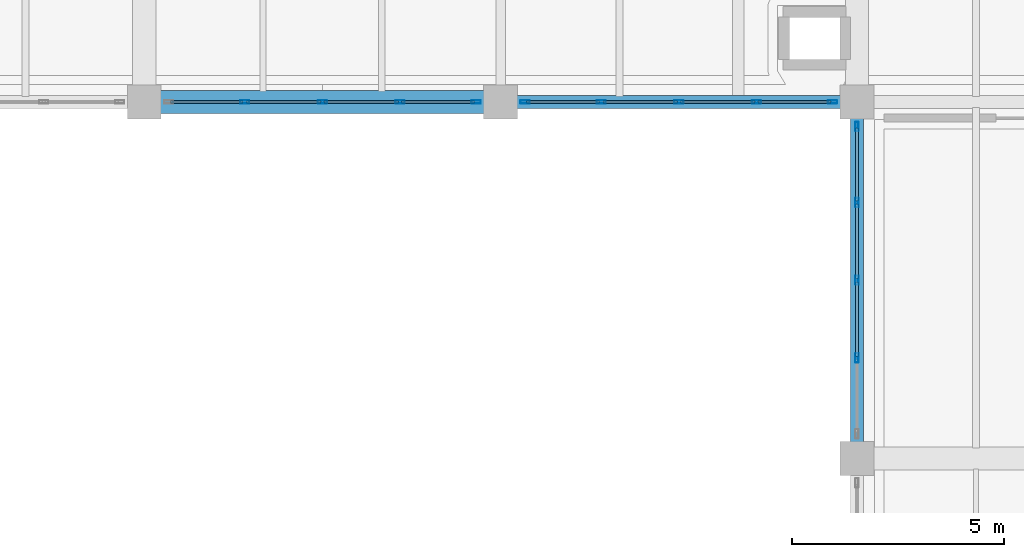
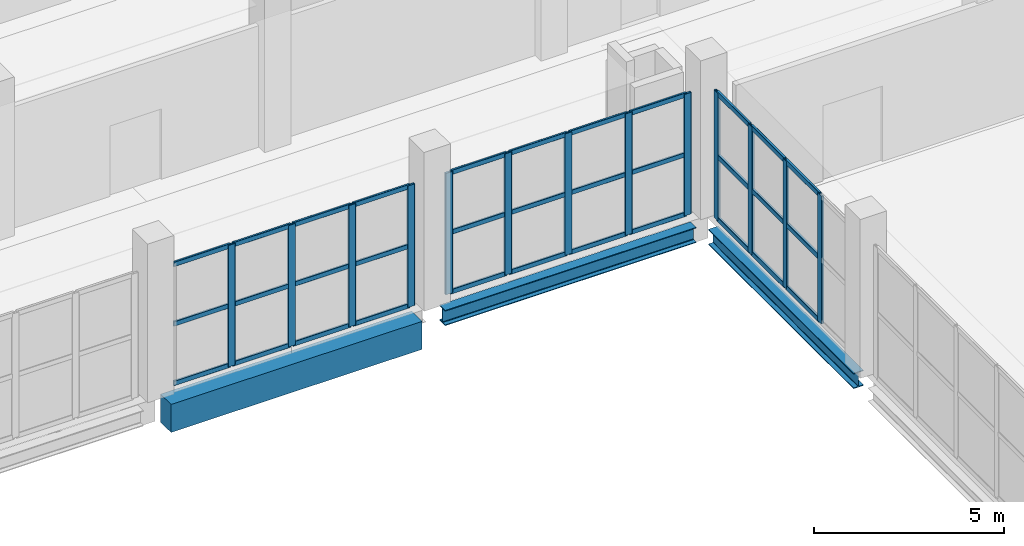
# One storey, part 45 of 73: 46 members, 3 beams, 3 elements without a shape of their own.
"""IFC4 building model written with IfcOpenShell, lengths in metres."""

from ifc_helpers import new_model, si_unit, direction, frame, origin, origin_2d, place, context, subcontext, project, spatial, rectangle, hollow_rectangle, i_section, extrude, material, layer, layer_set, material_profile, profile_set, type_object, element, aggregate, save


model = new_model("IFC4")

# Units and contexts
model_context = context("Model", 3, precision=1e-05, world=origin(), true_north=direction((0.0, 1.0)))
body_context = subcontext(model_context, "Body", "Model", "MODEL_VIEW")
ifc_project = project(units=[si_unit("LENGTHUNIT", "METRE"), si_unit("AREAUNIT", "SQUARE_METRE"), si_unit("VOLUMEUNIT", "CUBIC_METRE"), si_unit("PLANEANGLEUNIT", "RADIAN"), si_unit("MASSUNIT", "GRAM", prefix="KILO")], contexts=[model_context])

# Site, building, storey
site_placement = place(None, origin())
site = spatial("IfcSite", under=ifc_project, at=site_placement, CompositionType="ELEMENT")
building_placement = place(site_placement, origin())
building = spatial("IfcBuilding", under=site, at=building_placement, Name="Zulmaris Art Gallery", CompositionType="ELEMENT")
storey_placement = place(building_placement, frame((0.0, 0.0, 10.5)))
storey = spatial("IfcBuildingStorey", under=building, at=storey_placement, Name="L02", CompositionType="ELEMENT", Elevation=10.5)

# Beams
ifc_material_1 = material(Name="Steel S355J2", Category="steel")
ifc_material_profile_1 = material_profile(ifc_material_1, i_section(OverallWidth=0.300048828125, OverallDepth=0.489990234375, WebThickness=0.011962890625, FlangeThickness=0.02294921875, FilletRadius=0.027099609375, at=origin_2d()), Name="HEA 500")
ifc_profile_set_1 = profile_set([ifc_material_profile_1], Name="Steel S355J2")
beam_type_1 = type_object("IfcBeamType", Name="BEAM-BM11", PredefinedType="BEAM", material=ifc_profile_set_1)
beam_1_placement = place(storey_placement, frame((175.5849609375, 58.800048828125, -0.64501953125), z_axis=(1.0, 0.0, 0.0), x_axis=(0.0, 1.0, 0.0)))
element("IfcBeam", 1, at=beam_1_placement, inside=storey, type_object=beam_type_1, Name="L02 X-girder (175.2..183.6, y=58.8)", PredefinedType="BEAM", context=body_context, shape_type="SweptSolid", body=[
    extrude(i_section(OverallWidth=0.300048828125, OverallDepth=0.489990234375, WebThickness=0.011962890625, FlangeThickness=0.02294921875, FilletRadius=0.027099609375, at=origin_2d()), origin(), (0.0, 0.0, 1.0), 7.630126953125),
])
ifc_material_profile_2 = material_profile(ifc_material_1, i_section(OverallWidth=0.300048828125, OverallDepth=0.5, WebThickness=0.014404296875, FlangeThickness=0.028076171875, FilletRadius=0.027099609375, at=origin_2d()), Name="HEB 500")
ifc_profile_set_2 = profile_set([ifc_material_profile_2], Name="Steel S355J2")
beam_type_2 = type_object("IfcBeamType", Name="BEAM-BM14", PredefinedType="BEAM", material=ifc_profile_set_2)
beam_2_placement = place(storey_placement, frame((183.60009765625, 50.784912109375, -0.64990234375), z_axis=(0.0, 1.0, 0.0), x_axis=(-1.0, 0.0, 0.0)))
element("IfcBeam", 2, at=beam_2_placement, inside=storey, type_object=beam_type_2, Name="L02 Y-girder (x=183.6, 50.4..58.8)", PredefinedType="BEAM", context=body_context, shape_type="SweptSolid", body=[
    extrude(i_section(OverallWidth=0.300048828125, OverallDepth=0.5, WebThickness=0.014404296875, FlangeThickness=0.028076171875, FilletRadius=0.027099609375, at=origin_2d()), origin(), (0.0, 0.0, 1.0), 7.630126953125),
])
ifc_material_2 = material(Name="Concrete C40/50", Category="concrete")
ifc_material_profile_3 = material_profile(ifc_material_2, rectangle(XDim=0.550048828125, YDim=0.89990234375, at=origin_2d()), Name="RC 550x900")
ifc_profile_set_3 = profile_set([ifc_material_profile_3], Name="Concrete C40/50")
beam_type_3 = type_object("IfcBeamType", Name="BEAM-BM21", PredefinedType="BEAM", material=ifc_profile_set_3)
beam_3_placement = place(storey_placement, frame((167.18505859375, 58.800048828125, -0.85009765625), z_axis=(1.0, 0.0, 0.0), x_axis=(0.0, 1.0, 0.0)))
element("IfcBeam", 3, at=beam_3_placement, inside=storey, type_object=beam_type_3, Name="L02 X-girder (166.8..175.2, y=58.8)", PredefinedType="BEAM", context=body_context, shape_type="SweptSolid", body=[
    extrude(rectangle(XDim=0.550048828125, YDim=0.89990234375, at=origin_2d()), origin(), (0.0, 0.0, 1.0), 7.6298828125),
])

# Curtain wall, members
ifc_material_3 = material(Name="Courtyard Artists Studio Curtain Wall", Category="aluminium")
ifc_layer = layer(ifc_material_3, 0.179931640625)
ifc_layer_set = layer_set([ifc_layer], Name="Courtyard Artists Studio Curtain Wall")
curtain_wall_type = type_object("IfcCurtainWallType", Name="CW-CW04", PredefinedType="NOTDEFINED", material=ifc_layer_set)
curtain_wall_1_placement = place(storey_placement, origin())
curtain_wall_1 = element("IfcCurtainWall", 4, at=curtain_wall_1_placement, inside=storey, type_object=curtain_wall_type, Name="L02 curtain wall 140", PredefinedType="NOTDEFINED")
ifc_material_4 = material(Name="Anodised Bronze Aluminium", Category="aluminium")
ifc_material_profile_4 = material_profile(ifc_material_4, hollow_rectangle(XDim=0.074951171875, YDim=0.219970703125, WallThickness=0.0048828125, InnerFilletRadius=0.007568359375, OuterFilletRadius=0.012451171875, at=origin_2d()), Name="ALU 75x220x5")
ifc_profile_set_4 = profile_set([ifc_material_profile_4], Name="Anodised Bronze Aluminium")
member_type_1 = type_object("IfcMemberType", Name="CWMUL-02", PredefinedType="MULLION", material=ifc_profile_set_4)
member_1_placement = place(storey_placement, frame((183.60009765625, 58.222412109375, 0.0), z_axis=(0.0, 0.0, 1.0), x_axis=(1.0, 0.0, 0.0)))
member_1 = element("IfcMember", 5, at=member_1_placement, type_object=member_type_1, Name="CW04 mullion 1", PredefinedType="MULLION", context=body_context, shape_type="SweptSolid", body=[
    extrude(hollow_rectangle(XDim=0.074951171875, YDim=0.219970703125, WallThickness=0.0048828125, InnerFilletRadius=0.007568359375, OuterFilletRadius=0.012451171875, at=origin_2d()), origin(), (0.0, 0.0, 1.0), 4.10009765625),
])
member_2_placement = place(storey_placement, frame((183.60009765625, 56.429931640625, 0.0), z_axis=(0.0, 0.0, 1.0), x_axis=(1.0, 0.0, 0.0)))
member_2 = element("IfcMember", 6, at=member_2_placement, type_object=member_type_1, Name="CW04 mullion 2", PredefinedType="MULLION", context=body_context, shape_type="SweptSolid", body=[
    extrude(hollow_rectangle(XDim=0.074951171875, YDim=0.219970703125, WallThickness=0.0048828125, InnerFilletRadius=0.007568359375, OuterFilletRadius=0.012451171875, at=origin_2d()), origin(), (0.0, 0.0, 1.0), 4.10009765625),
])
member_3_placement = place(storey_placement, frame((183.60009765625, 54.60009765625, 0.0), z_axis=(0.0, 0.0, 1.0), x_axis=(1.0, 0.0, 0.0)))
member_3 = element("IfcMember", 7, at=member_3_placement, type_object=member_type_1, Name="CW04 mullion 3", PredefinedType="MULLION", context=body_context, shape_type="SweptSolid", body=[
    extrude(hollow_rectangle(XDim=0.074951171875, YDim=0.219970703125, WallThickness=0.0048828125, InnerFilletRadius=0.007568359375, OuterFilletRadius=0.012451171875, at=origin_2d()), origin(), (0.0, 0.0, 1.0), 4.10009765625),
])
member_4_placement = place(storey_placement, frame((183.60009765625, 52.77001953125, 0.0), z_axis=(0.0, 0.0, 1.0), x_axis=(1.0, 0.0, 0.0)))
member_4 = element("IfcMember", 8, at=member_4_placement, type_object=member_type_1, Name="CW04 mullion 4", PredefinedType="MULLION", context=body_context, shape_type="SweptSolid", body=[
    extrude(hollow_rectangle(XDim=0.074951171875, YDim=0.219970703125, WallThickness=0.0048828125, InnerFilletRadius=0.007568359375, OuterFilletRadius=0.012451171875, at=origin_2d()), origin(), (0.0, 0.0, 1.0), 4.10009765625),
])

curtain_wall_2_placement = place(storey_placement, origin())
curtain_wall_2 = element("IfcCurtainWall", 9, at=curtain_wall_2_placement, inside=storey, type_object=curtain_wall_type, Name="L02 curtain wall 143", PredefinedType="NOTDEFINED")
member_5_placement = place(storey_placement, frame((174.62255859375, 58.800048828125, 0.0), z_axis=(0.0, 0.0, 1.0), x_axis=(0.0, -1.0, 0.0)))
member_5 = element("IfcMember", 10, at=member_5_placement, type_object=member_type_1, Name="CW04 mullion 1", PredefinedType="MULLION", context=body_context, shape_type="SweptSolid", body=[
    extrude(hollow_rectangle(XDim=0.074951171875, YDim=0.219970703125, WallThickness=0.0048828125, InnerFilletRadius=0.007568359375, OuterFilletRadius=0.012451171875, at=origin_2d()), origin(), (0.0, 0.0, 1.0), 3.89990234375),
])
member_6_placement = place(storey_placement, frame((172.830078125, 58.800048828125, 0.0), z_axis=(0.0, 0.0, 1.0), x_axis=(0.0, -1.0, 0.0)))
member_6 = element("IfcMember", 11, at=member_6_placement, type_object=member_type_1, Name="CW04 mullion 2", PredefinedType="MULLION", context=body_context, shape_type="SweptSolid", body=[
    extrude(hollow_rectangle(XDim=0.074951171875, YDim=0.219970703125, WallThickness=0.0048828125, InnerFilletRadius=0.007568359375, OuterFilletRadius=0.012451171875, at=origin_2d()), origin(), (0.0, 0.0, 1.0), 3.89990234375),
])
member_7_placement = place(storey_placement, frame((171.0, 58.800048828125, 0.0), z_axis=(0.0, 0.0, 1.0), x_axis=(0.0, -1.0, 0.0)))
member_7 = element("IfcMember", 12, at=member_7_placement, type_object=member_type_1, Name="CW04 mullion 3", PredefinedType="MULLION", context=body_context, shape_type="SweptSolid", body=[
    extrude(hollow_rectangle(XDim=0.074951171875, YDim=0.219970703125, WallThickness=0.0048828125, InnerFilletRadius=0.007568359375, OuterFilletRadius=0.012451171875, at=origin_2d()), origin(), (0.0, 0.0, 1.0), 3.89990234375),
])
member_8_placement = place(storey_placement, frame((169.169921875, 58.800048828125, 0.0), z_axis=(0.0, 0.0, 1.0), x_axis=(0.0, -1.0, 0.0)))
member_8 = element("IfcMember", 13, at=member_8_placement, type_object=member_type_1, Name="CW04 mullion 4", PredefinedType="MULLION", context=body_context, shape_type="SweptSolid", body=[
    extrude(hollow_rectangle(XDim=0.074951171875, YDim=0.219970703125, WallThickness=0.0048828125, InnerFilletRadius=0.007568359375, OuterFilletRadius=0.012451171875, at=origin_2d()), origin(), (0.0, 0.0, 1.0), 3.89990234375),
])

curtain_wall_3_placement = place(storey_placement, origin())
curtain_wall_3 = element("IfcCurtainWall", 14, at=curtain_wall_3_placement, inside=storey, type_object=curtain_wall_type, Name="L02 curtain wall 145", PredefinedType="NOTDEFINED")
member_9_placement = place(storey_placement, frame((183.0224609375, 58.800048828125, 0.0), z_axis=(0.0, 0.0, 1.0), x_axis=(0.0, -1.0, 0.0)))
member_9 = element("IfcMember", 15, at=member_9_placement, type_object=member_type_1, Name="CW04 mullion 1", PredefinedType="MULLION", context=body_context, shape_type="SweptSolid", body=[
    extrude(hollow_rectangle(XDim=0.074951171875, YDim=0.219970703125, WallThickness=0.0048828125, InnerFilletRadius=0.007568359375, OuterFilletRadius=0.012451171875, at=origin_2d()), origin(), (0.0, 0.0, 1.0), 3.89990234375),
])
member_10_placement = place(storey_placement, frame((181.22998046875, 58.800048828125, 0.0), z_axis=(0.0, 0.0, 1.0), x_axis=(0.0, -1.0, 0.0)))
member_10 = element("IfcMember", 16, at=member_10_placement, type_object=member_type_1, Name="CW04 mullion 2", PredefinedType="MULLION", context=body_context, shape_type="SweptSolid", body=[
    extrude(hollow_rectangle(XDim=0.074951171875, YDim=0.219970703125, WallThickness=0.0048828125, InnerFilletRadius=0.007568359375, OuterFilletRadius=0.012451171875, at=origin_2d()), origin(), (0.0, 0.0, 1.0), 3.89990234375),
])
member_11_placement = place(storey_placement, frame((179.39990234375, 58.800048828125, 0.0), z_axis=(0.0, 0.0, 1.0), x_axis=(0.0, -1.0, 0.0)))
member_11 = element("IfcMember", 17, at=member_11_placement, type_object=member_type_1, Name="CW04 mullion 3", PredefinedType="MULLION", context=body_context, shape_type="SweptSolid", body=[
    extrude(hollow_rectangle(XDim=0.074951171875, YDim=0.219970703125, WallThickness=0.0048828125, InnerFilletRadius=0.007568359375, OuterFilletRadius=0.012451171875, at=origin_2d()), origin(), (0.0, 0.0, 1.0), 3.89990234375),
])
member_12_placement = place(storey_placement, frame((177.570068359375, 58.800048828125, 0.0), z_axis=(0.0, 0.0, 1.0), x_axis=(0.0, -1.0, 0.0)))
member_12 = element("IfcMember", 18, at=member_12_placement, type_object=member_type_1, Name="CW04 mullion 4", PredefinedType="MULLION", context=body_context, shape_type="SweptSolid", body=[
    extrude(hollow_rectangle(XDim=0.074951171875, YDim=0.219970703125, WallThickness=0.0048828125, InnerFilletRadius=0.007568359375, OuterFilletRadius=0.012451171875, at=origin_2d()), origin(), (0.0, 0.0, 1.0), 3.89990234375),
])
member_13_placement = place(storey_placement, frame((175.777587890625, 58.800048828125, 0.0), z_axis=(0.0, 0.0, 1.0), x_axis=(0.0, -1.0, 0.0)))
member_13 = element("IfcMember", 19, at=member_13_placement, type_object=member_type_1, Name="CW04 mullion 5", PredefinedType="MULLION", context=body_context, shape_type="SweptSolid", body=[
    extrude(hollow_rectangle(XDim=0.074951171875, YDim=0.219970703125, WallThickness=0.0048828125, InnerFilletRadius=0.007568359375, OuterFilletRadius=0.012451171875, at=origin_2d()), origin(), (0.0, 0.0, 1.0), 3.89990234375),
])

# Member
ifc_material_profile_5 = material_profile(ifc_material_4, hollow_rectangle(XDim=0.06494140625, YDim=0.14990234375, WallThickness=0.00390625, InnerFilletRadius=0.006103515625, OuterFilletRadius=0.010009765625, at=origin_2d()), Name="ALU 65x150x4")
ifc_profile_set_5 = profile_set([ifc_material_profile_5], Name="Anodised Bronze Aluminium")
member_type_2 = type_object("IfcMemberType", Name="CWTRN-01", PredefinedType="USERDEFINED", material=ifc_profile_set_5)
member_14_placement = place(storey_placement, frame((174.5849609375, 58.800048828125, 0.03759765625), z_axis=(-1.0, 0.0, 0.0), x_axis=(0.0, -1.0, 0.0)))
member_14 = element("IfcMember", 20, at=member_14_placement, type_object=member_type_2, Name="CW04 transom 1.1", ObjectType="TRANSOM", PredefinedType="USERDEFINED", context=body_context, shape_type="SweptSolid", body=[
    extrude(hollow_rectangle(XDim=0.06494140625, YDim=0.14990234375, WallThickness=0.00390625, InnerFilletRadius=0.006103515625, OuterFilletRadius=0.010009765625, at=origin_2d()), origin(), (0.0, 0.0, 1.0), 1.717529296875),
])

member_15_placement = place(storey_placement, frame((174.5849609375, 58.800048828125, 1.949951171875), z_axis=(-1.0, 0.0, 0.0), x_axis=(0.0, -1.0, 0.0)))
member_15 = element("IfcMember", 21, at=member_15_placement, type_object=member_type_2, Name="CW04 transom 1.2", ObjectType="TRANSOM", PredefinedType="USERDEFINED", context=body_context, shape_type="SweptSolid", body=[
    extrude(hollow_rectangle(XDim=0.06494140625, YDim=0.14990234375, WallThickness=0.00390625, InnerFilletRadius=0.006103515625, OuterFilletRadius=0.010009765625, at=origin_2d()), origin(), (0.0, 0.0, 1.0), 1.717529296875),
])

member_16_placement = place(storey_placement, frame((174.5849609375, 58.800048828125, 3.862548828125), z_axis=(-1.0, 0.0, 0.0), x_axis=(0.0, -1.0, 0.0)))
member_16 = element("IfcMember", 22, at=member_16_placement, type_object=member_type_2, Name="CW04 transom 1.3", ObjectType="TRANSOM", PredefinedType="USERDEFINED", context=body_context, shape_type="SweptSolid", body=[
    extrude(hollow_rectangle(XDim=0.06494140625, YDim=0.14990234375, WallThickness=0.00390625, InnerFilletRadius=0.006103515625, OuterFilletRadius=0.010009765625, at=origin_2d()), origin(), (0.0, 0.0, 1.0), 1.717529296875),
])

member_17_placement = place(storey_placement, frame((172.79248046875, 58.800048828125, 0.03759765625), z_axis=(-1.0, 0.0, 0.0), x_axis=(0.0, -1.0, 0.0)))
member_17 = element("IfcMember", 23, at=member_17_placement, type_object=member_type_2, Name="CW04 transom 2.1", ObjectType="TRANSOM", PredefinedType="USERDEFINED", context=body_context, shape_type="SweptSolid", body=[
    extrude(hollow_rectangle(XDim=0.06494140625, YDim=0.14990234375, WallThickness=0.00390625, InnerFilletRadius=0.006103515625, OuterFilletRadius=0.010009765625, at=origin_2d()), origin(), (0.0, 0.0, 1.0), 1.7548828125),
])

member_18_placement = place(storey_placement, frame((172.79248046875, 58.800048828125, 1.949951171875), z_axis=(-1.0, 0.0, 0.0), x_axis=(0.0, -1.0, 0.0)))
member_18 = element("IfcMember", 24, at=member_18_placement, type_object=member_type_2, Name="CW04 transom 2.2", ObjectType="TRANSOM", PredefinedType="USERDEFINED", context=body_context, shape_type="SweptSolid", body=[
    extrude(hollow_rectangle(XDim=0.06494140625, YDim=0.14990234375, WallThickness=0.00390625, InnerFilletRadius=0.006103515625, OuterFilletRadius=0.010009765625, at=origin_2d()), origin(), (0.0, 0.0, 1.0), 1.7548828125),
])

member_19_placement = place(storey_placement, frame((172.79248046875, 58.800048828125, 3.862548828125), z_axis=(-1.0, 0.0, 0.0), x_axis=(0.0, -1.0, 0.0)))
member_19 = element("IfcMember", 25, at=member_19_placement, type_object=member_type_2, Name="CW04 transom 2.3", ObjectType="TRANSOM", PredefinedType="USERDEFINED", context=body_context, shape_type="SweptSolid", body=[
    extrude(hollow_rectangle(XDim=0.06494140625, YDim=0.14990234375, WallThickness=0.00390625, InnerFilletRadius=0.006103515625, OuterFilletRadius=0.010009765625, at=origin_2d()), origin(), (0.0, 0.0, 1.0), 1.7548828125),
])

member_20_placement = place(storey_placement, frame((170.96240234375, 58.800048828125, 0.03759765625), z_axis=(-1.0, 0.0, 0.0), x_axis=(0.0, -1.0, 0.0)))
member_20 = element("IfcMember", 26, at=member_20_placement, type_object=member_type_2, Name="CW04 transom 3.1", ObjectType="TRANSOM", PredefinedType="USERDEFINED", context=body_context, shape_type="SweptSolid", body=[
    extrude(hollow_rectangle(XDim=0.06494140625, YDim=0.14990234375, WallThickness=0.00390625, InnerFilletRadius=0.006103515625, OuterFilletRadius=0.010009765625, at=origin_2d()), origin(), (0.0, 0.0, 1.0), 1.7548828125),
])

member_21_placement = place(storey_placement, frame((170.96240234375, 58.800048828125, 1.949951171875), z_axis=(-1.0, 0.0, 0.0), x_axis=(0.0, -1.0, 0.0)))
member_21 = element("IfcMember", 27, at=member_21_placement, type_object=member_type_2, Name="CW04 transom 3.2", ObjectType="TRANSOM", PredefinedType="USERDEFINED", context=body_context, shape_type="SweptSolid", body=[
    extrude(hollow_rectangle(XDim=0.06494140625, YDim=0.14990234375, WallThickness=0.00390625, InnerFilletRadius=0.006103515625, OuterFilletRadius=0.010009765625, at=origin_2d()), origin(), (0.0, 0.0, 1.0), 1.7548828125),
])

member_22_placement = place(storey_placement, frame((170.96240234375, 58.800048828125, 3.862548828125), z_axis=(-1.0, 0.0, 0.0), x_axis=(0.0, -1.0, 0.0)))
member_22 = element("IfcMember", 28, at=member_22_placement, type_object=member_type_2, Name="CW04 transom 3.3", ObjectType="TRANSOM", PredefinedType="USERDEFINED", context=body_context, shape_type="SweptSolid", body=[
    extrude(hollow_rectangle(XDim=0.06494140625, YDim=0.14990234375, WallThickness=0.00390625, InnerFilletRadius=0.006103515625, OuterFilletRadius=0.010009765625, at=origin_2d()), origin(), (0.0, 0.0, 1.0), 1.7548828125),
])

member_23_placement = place(storey_placement, frame((169.132568359375, 58.800048828125, 0.03759765625), z_axis=(-1.0, 0.0, 0.0), x_axis=(0.0, -1.0, 0.0)))
member_23 = element("IfcMember", 29, at=member_23_placement, type_object=member_type_2, Name="CW04 transom 4.1", ObjectType="TRANSOM", PredefinedType="USERDEFINED", context=body_context, shape_type="SweptSolid", body=[
    extrude(hollow_rectangle(XDim=0.06494140625, YDim=0.14990234375, WallThickness=0.00390625, InnerFilletRadius=0.006103515625, OuterFilletRadius=0.010009765625, at=origin_2d()), origin(), (0.0, 0.0, 1.0), 1.717529296875),
])

member_24_placement = place(storey_placement, frame((169.132568359375, 58.800048828125, 1.949951171875), z_axis=(-1.0, 0.0, 0.0), x_axis=(0.0, -1.0, 0.0)))
member_24 = element("IfcMember", 30, at=member_24_placement, type_object=member_type_2, Name="CW04 transom 4.2", ObjectType="TRANSOM", PredefinedType="USERDEFINED", context=body_context, shape_type="SweptSolid", body=[
    extrude(hollow_rectangle(XDim=0.06494140625, YDim=0.14990234375, WallThickness=0.00390625, InnerFilletRadius=0.006103515625, OuterFilletRadius=0.010009765625, at=origin_2d()), origin(), (0.0, 0.0, 1.0), 1.717529296875),
])

member_25_placement = place(storey_placement, frame((169.132568359375, 58.800048828125, 3.862548828125), z_axis=(-1.0, 0.0, 0.0), x_axis=(0.0, -1.0, 0.0)))
member_25 = element("IfcMember", 31, at=member_25_placement, type_object=member_type_2, Name="CW04 transom 4.3", ObjectType="TRANSOM", PredefinedType="USERDEFINED", context=body_context, shape_type="SweptSolid", body=[
    extrude(hollow_rectangle(XDim=0.06494140625, YDim=0.14990234375, WallThickness=0.00390625, InnerFilletRadius=0.006103515625, OuterFilletRadius=0.010009765625, at=origin_2d()), origin(), (0.0, 0.0, 1.0), 1.717529296875),
])

aggregate(curtain_wall_2, [member_5, member_6, member_7, member_8, member_14, member_15, member_16, member_17, member_18, member_19, member_20, member_21, member_22, member_23, member_24, member_25])

member_26_placement = place(storey_placement, frame((182.985107421875, 58.800048828125, 0.03759765625), z_axis=(-1.0, 0.0, 0.0), x_axis=(0.0, -1.0, 0.0)))
member_26 = element("IfcMember", 32, at=member_26_placement, type_object=member_type_2, Name="CW04 transom 1.1", ObjectType="TRANSOM", PredefinedType="USERDEFINED", context=body_context, shape_type="SweptSolid", body=[
    extrude(hollow_rectangle(XDim=0.06494140625, YDim=0.14990234375, WallThickness=0.00390625, InnerFilletRadius=0.006103515625, OuterFilletRadius=0.010009765625, at=origin_2d()), origin(), (0.0, 0.0, 1.0), 1.717529296875),
])

member_27_placement = place(storey_placement, frame((182.985107421875, 58.800048828125, 1.949951171875), z_axis=(-1.0, 0.0, 0.0), x_axis=(0.0, -1.0, 0.0)))
member_27 = element("IfcMember", 33, at=member_27_placement, type_object=member_type_2, Name="CW04 transom 1.2", ObjectType="TRANSOM", PredefinedType="USERDEFINED", context=body_context, shape_type="SweptSolid", body=[
    extrude(hollow_rectangle(XDim=0.06494140625, YDim=0.14990234375, WallThickness=0.00390625, InnerFilletRadius=0.006103515625, OuterFilletRadius=0.010009765625, at=origin_2d()), origin(), (0.0, 0.0, 1.0), 1.717529296875),
])

member_28_placement = place(storey_placement, frame((182.985107421875, 58.800048828125, 3.862548828125), z_axis=(-1.0, 0.0, 0.0), x_axis=(0.0, -1.0, 0.0)))
member_28 = element("IfcMember", 34, at=member_28_placement, type_object=member_type_2, Name="CW04 transom 1.3", ObjectType="TRANSOM", PredefinedType="USERDEFINED", context=body_context, shape_type="SweptSolid", body=[
    extrude(hollow_rectangle(XDim=0.06494140625, YDim=0.14990234375, WallThickness=0.00390625, InnerFilletRadius=0.006103515625, OuterFilletRadius=0.010009765625, at=origin_2d()), origin(), (0.0, 0.0, 1.0), 1.717529296875),
])

member_29_placement = place(storey_placement, frame((181.1923828125, 58.800048828125, 0.03759765625), z_axis=(-1.0, 0.0, 0.0), x_axis=(0.0, -1.0, 0.0)))
member_29 = element("IfcMember", 35, at=member_29_placement, type_object=member_type_2, Name="CW04 transom 2.1", ObjectType="TRANSOM", PredefinedType="USERDEFINED", context=body_context, shape_type="SweptSolid", body=[
    extrude(hollow_rectangle(XDim=0.06494140625, YDim=0.14990234375, WallThickness=0.00390625, InnerFilletRadius=0.006103515625, OuterFilletRadius=0.010009765625, at=origin_2d()), origin(), (0.0, 0.0, 1.0), 1.7548828125),
])

member_30_placement = place(storey_placement, frame((181.1923828125, 58.800048828125, 1.949951171875), z_axis=(-1.0, 0.0, 0.0), x_axis=(0.0, -1.0, 0.0)))
member_30 = element("IfcMember", 36, at=member_30_placement, type_object=member_type_2, Name="CW04 transom 2.2", ObjectType="TRANSOM", PredefinedType="USERDEFINED", context=body_context, shape_type="SweptSolid", body=[
    extrude(hollow_rectangle(XDim=0.06494140625, YDim=0.14990234375, WallThickness=0.00390625, InnerFilletRadius=0.006103515625, OuterFilletRadius=0.010009765625, at=origin_2d()), origin(), (0.0, 0.0, 1.0), 1.7548828125),
])

member_31_placement = place(storey_placement, frame((181.1923828125, 58.800048828125, 3.862548828125), z_axis=(-1.0, 0.0, 0.0), x_axis=(0.0, -1.0, 0.0)))
member_31 = element("IfcMember", 37, at=member_31_placement, type_object=member_type_2, Name="CW04 transom 2.3", ObjectType="TRANSOM", PredefinedType="USERDEFINED", context=body_context, shape_type="SweptSolid", body=[
    extrude(hollow_rectangle(XDim=0.06494140625, YDim=0.14990234375, WallThickness=0.00390625, InnerFilletRadius=0.006103515625, OuterFilletRadius=0.010009765625, at=origin_2d()), origin(), (0.0, 0.0, 1.0), 1.7548828125),
])

member_32_placement = place(storey_placement, frame((179.362548828125, 58.800048828125, 0.03759765625), z_axis=(-1.0, 0.0, 0.0), x_axis=(0.0, -1.0, 0.0)))
member_32 = element("IfcMember", 38, at=member_32_placement, type_object=member_type_2, Name="CW04 transom 3.1", ObjectType="TRANSOM", PredefinedType="USERDEFINED", context=body_context, shape_type="SweptSolid", body=[
    extrude(hollow_rectangle(XDim=0.06494140625, YDim=0.14990234375, WallThickness=0.00390625, InnerFilletRadius=0.006103515625, OuterFilletRadius=0.010009765625, at=origin_2d()), origin(), (0.0, 0.0, 1.0), 1.755126953125),
])

member_33_placement = place(storey_placement, frame((179.362548828125, 58.800048828125, 1.949951171875), z_axis=(-1.0, 0.0, 0.0), x_axis=(0.0, -1.0, 0.0)))
member_33 = element("IfcMember", 39, at=member_33_placement, type_object=member_type_2, Name="CW04 transom 3.2", ObjectType="TRANSOM", PredefinedType="USERDEFINED", context=body_context, shape_type="SweptSolid", body=[
    extrude(hollow_rectangle(XDim=0.06494140625, YDim=0.14990234375, WallThickness=0.00390625, InnerFilletRadius=0.006103515625, OuterFilletRadius=0.010009765625, at=origin_2d()), origin(), (0.0, 0.0, 1.0), 1.755126953125),
])

member_34_placement = place(storey_placement, frame((179.362548828125, 58.800048828125, 3.862548828125), z_axis=(-1.0, 0.0, 0.0), x_axis=(0.0, -1.0, 0.0)))
member_34 = element("IfcMember", 40, at=member_34_placement, type_object=member_type_2, Name="CW04 transom 3.3", ObjectType="TRANSOM", PredefinedType="USERDEFINED", context=body_context, shape_type="SweptSolid", body=[
    extrude(hollow_rectangle(XDim=0.06494140625, YDim=0.14990234375, WallThickness=0.00390625, InnerFilletRadius=0.006103515625, OuterFilletRadius=0.010009765625, at=origin_2d()), origin(), (0.0, 0.0, 1.0), 1.755126953125),
])

member_35_placement = place(storey_placement, frame((177.532470703125, 58.800048828125, 0.03759765625), z_axis=(-1.0, 0.0, 0.0), x_axis=(0.0, -1.0, 0.0)))
member_35 = element("IfcMember", 41, at=member_35_placement, type_object=member_type_2, Name="CW04 transom 4.1", ObjectType="TRANSOM", PredefinedType="USERDEFINED", context=body_context, shape_type="SweptSolid", body=[
    extrude(hollow_rectangle(XDim=0.06494140625, YDim=0.14990234375, WallThickness=0.00390625, InnerFilletRadius=0.006103515625, OuterFilletRadius=0.010009765625, at=origin_2d()), origin(), (0.0, 0.0, 1.0), 1.717529296875),
])

member_36_placement = place(storey_placement, frame((177.532470703125, 58.800048828125, 1.949951171875), z_axis=(-1.0, 0.0, 0.0), x_axis=(0.0, -1.0, 0.0)))
member_36 = element("IfcMember", 42, at=member_36_placement, type_object=member_type_2, Name="CW04 transom 4.2", ObjectType="TRANSOM", PredefinedType="USERDEFINED", context=body_context, shape_type="SweptSolid", body=[
    extrude(hollow_rectangle(XDim=0.06494140625, YDim=0.14990234375, WallThickness=0.00390625, InnerFilletRadius=0.006103515625, OuterFilletRadius=0.010009765625, at=origin_2d()), origin(), (0.0, 0.0, 1.0), 1.717529296875),
])

member_37_placement = place(storey_placement, frame((177.532470703125, 58.800048828125, 3.862548828125), z_axis=(-1.0, 0.0, 0.0), x_axis=(0.0, -1.0, 0.0)))
member_37 = element("IfcMember", 43, at=member_37_placement, type_object=member_type_2, Name="CW04 transom 4.3", ObjectType="TRANSOM", PredefinedType="USERDEFINED", context=body_context, shape_type="SweptSolid", body=[
    extrude(hollow_rectangle(XDim=0.06494140625, YDim=0.14990234375, WallThickness=0.00390625, InnerFilletRadius=0.006103515625, OuterFilletRadius=0.010009765625, at=origin_2d()), origin(), (0.0, 0.0, 1.0), 1.717529296875),
])

aggregate(curtain_wall_3, [member_9, member_10, member_11, member_12, member_13, member_26, member_27, member_28, member_29, member_30, member_31, member_32, member_33, member_34, member_35, member_36, member_37])

ifc_material_profile_6 = material_profile(ifc_material_4, hollow_rectangle(XDim=0.074951171875, YDim=0.159912109375, WallThickness=0.00390625, InnerFilletRadius=0.006103515625, OuterFilletRadius=0.010009765625, at=origin_2d()), Name="ALU 75x160x4")
ifc_profile_set_6 = profile_set([ifc_material_profile_6], Name="Anodised Bronze Aluminium")
member_type_3 = type_object("IfcMemberType", Name="CWTRN-02", PredefinedType="USERDEFINED", material=ifc_profile_set_6)
member_38_placement = place(storey_placement, frame((183.60009765625, 58.18505859375, 0.03759765625), z_axis=(0.0, -1.0, 0.0), x_axis=(1.0, 0.0, 0.0)))
member_38 = element("IfcMember", 44, at=member_38_placement, type_object=member_type_3, Name="CW04 transom 1.1", ObjectType="TRANSOM", PredefinedType="USERDEFINED", context=body_context, shape_type="SweptSolid", body=[
    extrude(hollow_rectangle(XDim=0.074951171875, YDim=0.159912109375, WallThickness=0.00390625, InnerFilletRadius=0.006103515625, OuterFilletRadius=0.010009765625, at=origin_2d()), origin(), (0.0, 0.0, 1.0), 1.717529296875),
])

member_39_placement = place(storey_placement, frame((183.60009765625, 58.18505859375, 2.050048828125), z_axis=(0.0, -1.0, 0.0), x_axis=(1.0, 0.0, 0.0)))
member_39 = element("IfcMember", 45, at=member_39_placement, type_object=member_type_3, Name="CW04 transom 1.2", ObjectType="TRANSOM", PredefinedType="USERDEFINED", context=body_context, shape_type="SweptSolid", body=[
    extrude(hollow_rectangle(XDim=0.074951171875, YDim=0.159912109375, WallThickness=0.00390625, InnerFilletRadius=0.006103515625, OuterFilletRadius=0.010009765625, at=origin_2d()), origin(), (0.0, 0.0, 1.0), 1.717529296875),
])

member_40_placement = place(storey_placement, frame((183.60009765625, 58.18505859375, 4.0625), z_axis=(0.0, -1.0, 0.0), x_axis=(1.0, 0.0, 0.0)))
member_40 = element("IfcMember", 46, at=member_40_placement, type_object=member_type_3, Name="CW04 transom 1.3", ObjectType="TRANSOM", PredefinedType="USERDEFINED", context=body_context, shape_type="SweptSolid", body=[
    extrude(hollow_rectangle(XDim=0.074951171875, YDim=0.159912109375, WallThickness=0.00390625, InnerFilletRadius=0.006103515625, OuterFilletRadius=0.010009765625, at=origin_2d()), origin(), (0.0, 0.0, 1.0), 1.717529296875),
])

member_41_placement = place(storey_placement, frame((183.60009765625, 56.392578125, 0.03759765625), z_axis=(0.0, -1.0, 0.0), x_axis=(1.0, 0.0, 0.0)))
member_41 = element("IfcMember", 47, at=member_41_placement, type_object=member_type_3, Name="CW04 transom 2.1", ObjectType="TRANSOM", PredefinedType="USERDEFINED", context=body_context, shape_type="SweptSolid", body=[
    extrude(hollow_rectangle(XDim=0.074951171875, YDim=0.159912109375, WallThickness=0.00390625, InnerFilletRadius=0.006103515625, OuterFilletRadius=0.010009765625, at=origin_2d()), origin(), (0.0, 0.0, 1.0), 1.755126953125),
])

member_42_placement = place(storey_placement, frame((183.60009765625, 56.392578125, 2.050048828125), z_axis=(0.0, -1.0, 0.0), x_axis=(1.0, 0.0, 0.0)))
member_42 = element("IfcMember", 48, at=member_42_placement, type_object=member_type_3, Name="CW04 transom 2.2", ObjectType="TRANSOM", PredefinedType="USERDEFINED", context=body_context, shape_type="SweptSolid", body=[
    extrude(hollow_rectangle(XDim=0.074951171875, YDim=0.159912109375, WallThickness=0.00390625, InnerFilletRadius=0.006103515625, OuterFilletRadius=0.010009765625, at=origin_2d()), origin(), (0.0, 0.0, 1.0), 1.755126953125),
])

member_43_placement = place(storey_placement, frame((183.60009765625, 56.392578125, 4.0625), z_axis=(0.0, -1.0, 0.0), x_axis=(1.0, 0.0, 0.0)))
member_43 = element("IfcMember", 49, at=member_43_placement, type_object=member_type_3, Name="CW04 transom 2.3", ObjectType="TRANSOM", PredefinedType="USERDEFINED", context=body_context, shape_type="SweptSolid", body=[
    extrude(hollow_rectangle(XDim=0.074951171875, YDim=0.159912109375, WallThickness=0.00390625, InnerFilletRadius=0.006103515625, OuterFilletRadius=0.010009765625, at=origin_2d()), origin(), (0.0, 0.0, 1.0), 1.755126953125),
])

member_44_placement = place(storey_placement, frame((183.60009765625, 54.5625, 0.03759765625), z_axis=(0.0, -1.0, 0.0), x_axis=(1.0, 0.0, 0.0)))
member_44 = element("IfcMember", 50, at=member_44_placement, type_object=member_type_3, Name="CW04 transom 3.1", ObjectType="TRANSOM", PredefinedType="USERDEFINED", context=body_context, shape_type="SweptSolid", body=[
    extrude(hollow_rectangle(XDim=0.074951171875, YDim=0.159912109375, WallThickness=0.00390625, InnerFilletRadius=0.006103515625, OuterFilletRadius=0.010009765625, at=origin_2d()), origin(), (0.0, 0.0, 1.0), 1.7548828125),
])

member_45_placement = place(storey_placement, frame((183.60009765625, 54.5625, 2.050048828125), z_axis=(0.0, -1.0, 0.0), x_axis=(1.0, 0.0, 0.0)))
member_45 = element("IfcMember", 51, at=member_45_placement, type_object=member_type_3, Name="CW04 transom 3.2", ObjectType="TRANSOM", PredefinedType="USERDEFINED", context=body_context, shape_type="SweptSolid", body=[
    extrude(hollow_rectangle(XDim=0.074951171875, YDim=0.159912109375, WallThickness=0.00390625, InnerFilletRadius=0.006103515625, OuterFilletRadius=0.010009765625, at=origin_2d()), origin(), (0.0, 0.0, 1.0), 1.7548828125),
])

member_46_placement = place(storey_placement, frame((183.60009765625, 54.5625, 4.0625), z_axis=(0.0, -1.0, 0.0), x_axis=(1.0, 0.0, 0.0)))
member_46 = element("IfcMember", 52, at=member_46_placement, type_object=member_type_3, Name="CW04 transom 3.3", ObjectType="TRANSOM", PredefinedType="USERDEFINED", context=body_context, shape_type="SweptSolid", body=[
    extrude(hollow_rectangle(XDim=0.074951171875, YDim=0.159912109375, WallThickness=0.00390625, InnerFilletRadius=0.006103515625, OuterFilletRadius=0.010009765625, at=origin_2d()), origin(), (0.0, 0.0, 1.0), 1.7548828125),
])

aggregate(curtain_wall_1, [member_1, member_2, member_3, member_4, member_38, member_39, member_40, member_41, member_42, member_43, member_44, member_45, member_46])

save(model, "model.ifc")
